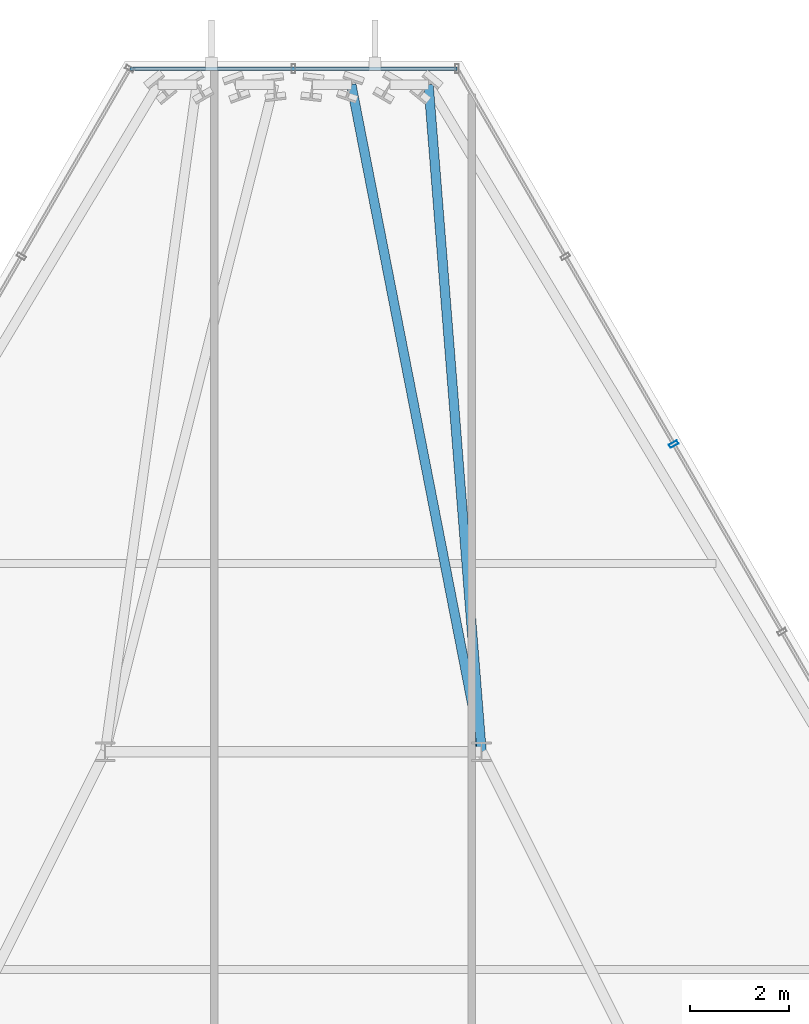
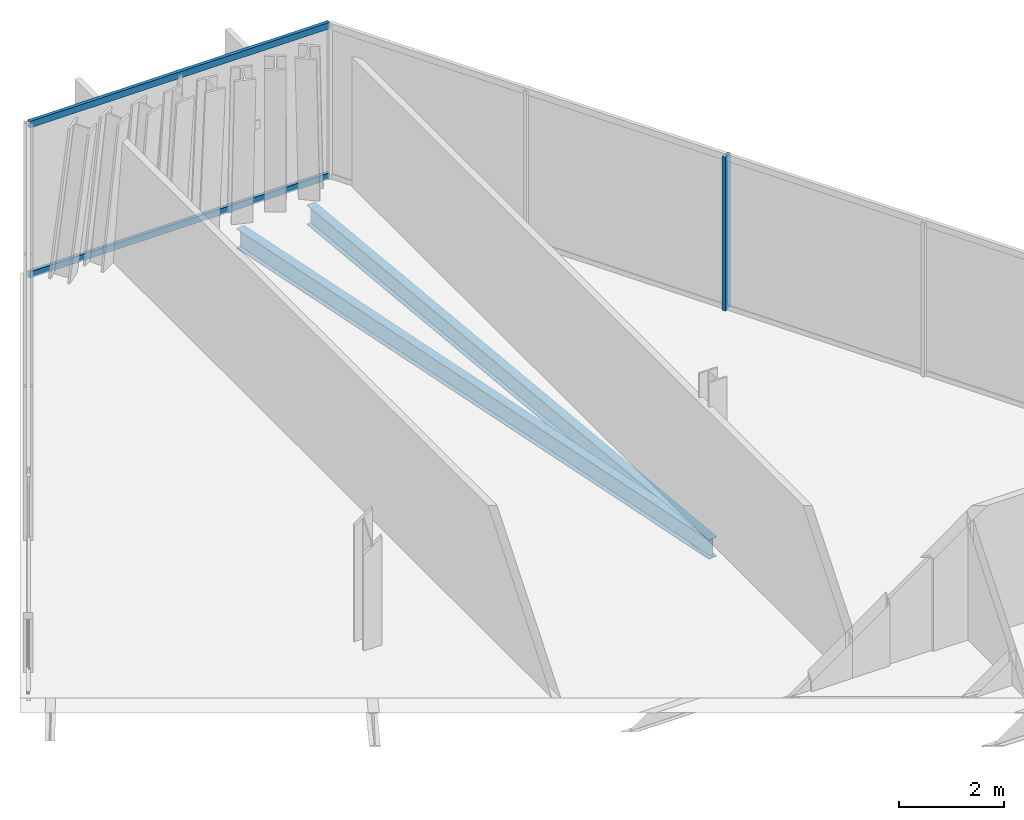
# One storey, part 21 of 29: 3 members, 2 beams, 2 elements without a shape of their own.
"""IFC4 building model written with IfcOpenShell, lengths in metres."""

import ifcopenshell
import ifcopenshell.guid

model = None  # the IFC model being written
_history = None  # IfcOwnerHistory: only IFC2X3 demands one
_inside = {}  # id of a spatial element -> (the spatial element, [elements in it])
_under = {}  # id of a project, library or spatial element -> (it, [spatial elements below it])
_declared = {}  # id of a project -> (the project, [libraries it declares])
_typed = {}  # id of a type object -> (the type object, [elements of that type])
_made_of = {}  # id of a material, layer set ... -> (it, [elements and type objects made of it])


def new_model(schema):
    """Start an empty IFC model of exactly this schema.

    Asked for "IFC4X3", IfcOpenShell would pick the latest addendum, in which some entities
    have other attributes; the version numbers below select the first issue.
    IFC2X3 requires an IfcOwnerHistory on every rooted entity: one is made here for all.
    """
    global model, _history
    if schema == "IFC4X3":
        model = ifcopenshell.file(schema_version=(4, 3, 0, 0))
    else:
        model = ifcopenshell.file(schema=schema)
    _inside.clear()
    _under.clear()
    _declared.clear()
    _typed.clear()
    _made_of.clear()
    _history = None
    if model.schema == "IFC2X3":
        org = make("IfcOrganization", Name="unknown")
        user = make(
            "IfcPersonAndOrganization",
            ThePerson=make("IfcPerson", FamilyName="unknown"),
            TheOrganization=org,
        )
        app = make(
            "IfcApplication",
            ApplicationDeveloper=org,
            Version="unknown",
            ApplicationFullName="unknown",
            ApplicationIdentifier="unknown",
        )
        _history = make(
            "IfcOwnerHistory",
            OwningUser=user,
            OwningApplication=app,
            ChangeAction="ADDED",
            CreationDate=0,
        )
    return model


def make(cls, **values):
    """One entity of the class cls with the attributes given. An attribute that is None is left unset."""
    return model.create_entity(
        cls, **{name: value for name, value in values.items() if value is not None}
    )


def rooted(cls, **values):
    """An entity with a GlobalId (a new one), such as an element, a storey or a relation."""
    return make(cls, GlobalId=ifcopenshell.guid.new(), OwnerHistory=_history, **values)


def si_unit(unit_type, name, prefix=None):
    """IfcSIUnit, for example si_unit("LENGTHUNIT", "METRE", prefix="MILLI")."""
    return make("IfcSIUnit", UnitType=unit_type, Prefix=prefix, Name=name)


def assignment(units):
    """IfcUnitAssignment: the units of a project."""
    return None if units is None else make("IfcUnitAssignment", Units=units)


def point(xyz):
    """IfcCartesianPoint."""
    return None if xyz is None else make("IfcCartesianPoint", Coordinates=xyz)


def direction(xyz):
    """IfcDirection."""
    return None if xyz is None else make("IfcDirection", DirectionRatios=xyz)


def frame(location, z_axis=None, x_axis=None):
    """IfcAxis2Placement3D, a coordinate frame: its origin and axes. An axis left out is left unset."""
    return make(
        "IfcAxis2Placement3D",
        Location=point(location),
        Axis=direction(z_axis),
        RefDirection=direction(x_axis),
    )


def frame_2d(location, x_axis=None):
    """IfcAxis2Placement2D, a coordinate frame in the plane: its origin and x axis."""
    return make(
        "IfcAxis2Placement2D", Location=point(location), RefDirection=direction(x_axis)
    )


def origin():
    """The frame at (0, 0, 0) with its axes left unset."""
    return frame((0.0, 0.0, 0.0))


def origin_2d():
    """The frame at (0, 0) in the plane with its x axis left unset."""
    return frame_2d((0.0, 0.0))


def place(relative_to, where):
    """IfcLocalPlacement: puts the frame where relative to a parent placement (None: the world)."""
    return make(
        "IfcLocalPlacement", PlacementRelTo=relative_to, RelativePlacement=where
    )


def context(
    kind, dimensions, precision=None, world=None, true_north=None, identifier=None
):
    """IfcGeometricRepresentationContext, for example the 3D "Model" context."""
    return make(
        "IfcGeometricRepresentationContext",
        ContextIdentifier=identifier,
        ContextType=kind,
        CoordinateSpaceDimension=dimensions,
        Precision=precision,
        WorldCoordinateSystem=world,
        TrueNorth=true_north,
    )


def subcontext(parent, identifier, kind, view, scale=None):
    """IfcGeometricRepresentationSubContext, for example "Body" below "Model"."""
    return make(
        "IfcGeometricRepresentationSubContext",
        ContextIdentifier=identifier,
        ContextType=kind,
        ParentContext=parent,
        TargetScale=scale,
        TargetView=view,
    )


def project(units=None, contexts=None):
    """IfcProject with its units and contexts."""
    return rooted(
        "IfcProject",
        Name="project",
        RepresentationContexts=contexts,
        UnitsInContext=assignment(units),
    )


def spatial(cls, under=None, at=None, **own):
    """A site, building, storey or space (cls), placed at a placement, below another one or the project."""
    s = rooted(cls, ObjectPlacement=at, **own)
    if under is not None:
        _under.setdefault(under.id(), (under, []))[1].append(s)
    return s


def profile(cls, at=None, kind="AREA", **sizes):
    """A parametric profile (cls). Its sizes go by their IFC names, for example OverallWidth=200.0."""
    return make(cls, ProfileType=kind, Position=at, **sizes)


def hollow_rectangle(**sizes):
    """IfcRectangleHollowProfileDef."""
    return profile("IfcRectangleHollowProfileDef", **sizes)


def i_section(**sizes):
    """IfcIShapeProfileDef."""
    return profile("IfcIShapeProfileDef", **sizes)


def extrude(swept, where, along, depth):
    """IfcExtrudedAreaSolid: the profile swept, set in the frame where, extruded along a direction by depth."""
    return make(
        "IfcExtrudedAreaSolid",
        SweptArea=swept,
        Position=where,
        ExtrudedDirection=direction(along),
        Depth=depth,
    )


def shape(context_of_items, identifier, shape_type, items):
    """IfcShapeRepresentation: the items that make up one representation, for example the "Body"."""
    return make(
        "IfcShapeRepresentation",
        ContextOfItems=context_of_items,
        RepresentationIdentifier=identifier,
        RepresentationType=shape_type,
        Items=items,
    )


def material(Name=None, Category=None):
    """IfcMaterial."""
    return make("IfcMaterial", Name=Name, Category=Category)


def layer(
    of_material, thickness, ventilated=None, Name=None, Category=None, Priority=None
):
    """IfcMaterialLayer: one layer of a wall or slab, of a material (None: an air gap)."""
    return make(
        "IfcMaterialLayer",
        Material=of_material,
        LayerThickness=thickness,
        IsVentilated=ventilated,
        Name=Name,
        Category=Category,
        Priority=Priority,
    )


def layer_set(layers, Name=None):
    """IfcMaterialLayerSet."""
    return make("IfcMaterialLayerSet", MaterialLayers=layers, LayerSetName=Name)


def material_profile(
    of_material, cross_section, Name=None, Category=None, Priority=None
):
    """IfcMaterialProfile: a cross section and its material."""
    return make(
        "IfcMaterialProfile",
        Name=Name,
        Material=of_material,
        Profile=cross_section,
        Priority=Priority,
        Category=Category,
    )


def profile_set(profiles, Name=None, composite=None):
    """IfcMaterialProfileSet."""
    return make(
        "IfcMaterialProfileSet",
        Name=Name,
        MaterialProfiles=profiles,
        CompositeProfile=composite,
    )


def made_of(thing, what):
    """Note that an element or type object is made of a material, layer set ...; save() writes the relation."""
    if what is not None:
        _made_of.setdefault(what.id(), (what, []))[1].append(thing)
    return thing


def type_object(cls, material=None, **own):
    """A type object (cls), such as IfcWallType, which elements share."""
    return made_of(rooted(cls, **own), material)


def element(
    cls,
    number,
    at=None,
    inside=None,
    cuts=None,
    type_object=None,
    material=None,
    context=None,
    identifier="Body",
    shape_type=None,
    held_by="IfcProductDefinitionShape",
    body=None,
    shapes=None,
    **own,
):
    """One element of the class cls, such as IfcWall. Its Tag is "e" and its number.

    at: its placement. inside: the storey or other place that contains it. cuts: it is an
    opening in that element (IfcRelVoidsElement). A single representation is given by context,
    identifier, shape_type and body (its items); several are given by shapes. held_by: the class
    of the entity that holds the representations. save() writes the other relations.
    """
    e = rooted(cls, Tag="e%d" % number, ObjectPlacement=at, **own)
    if body is not None:
        shapes = [shape(context, identifier, shape_type, body)]
    if shapes is not None:
        e.Representation = make(held_by, Representations=shapes)
    if inside is not None:
        _inside.setdefault(inside.id(), (inside, []))[1].append(e)
    if cuts is not None:
        rooted(
            "IfcRelVoidsElement", RelatingBuildingElement=cuts, RelatedOpeningElement=e
        )
    if type_object is not None:
        _typed.setdefault(type_object.id(), (type_object, []))[1].append(e)
    return made_of(e, material)


def aggregate(whole, parts):
    """IfcRelAggregates: a whole, such as a stair, and the parts it consists of."""
    return rooted("IfcRelAggregates", RelatingObject=whole, RelatedObjects=parts)


def save(model, path):
    """Write the relations noted so far, then the file.

    IfcRelAggregates (storeys below a building ...), IfcRelContainedInSpatialStructure (elements
    in a storey), IfcRelDefinesByType, IfcRelAssociatesMaterial and IfcRelDeclares: one each for
    every whole, place, type object, material and project.
    """
    for whole, parts in _under.values():
        aggregate(whole, parts)
    for where, things in _inside.values():
        rooted(
            "IfcRelContainedInSpatialStructure",
            RelatedElements=things,
            RelatingStructure=where,
        )
    for kind, things in _typed.values():
        rooted("IfcRelDefinesByType", RelatedObjects=things, RelatingType=kind)
    for what, things in _made_of.values():
        rooted("IfcRelAssociatesMaterial", RelatedObjects=things, RelatingMaterial=what)
    for by, libraries in _declared.values():
        rooted("IfcRelDeclares", RelatingContext=by, RelatedDefinitions=libraries)
    model.write(path)


model = new_model("IFC4")

# Units and contexts
model_context = context("Model", 3, precision=1e-05, world=origin(), true_north=direction((0.0, 1.0)))
body_context = subcontext(model_context, "Body", "Model", "MODEL_VIEW")
ifc_project = project(units=[si_unit("LENGTHUNIT", "METRE"), si_unit("AREAUNIT", "SQUARE_METRE"), si_unit("VOLUMEUNIT", "CUBIC_METRE"), si_unit("PLANEANGLEUNIT", "RADIAN"), si_unit("MASSUNIT", "GRAM", prefix="KILO")], contexts=[model_context])

# Site, building, storey
site_placement = place(None, origin())
site = spatial("IfcSite", under=ifc_project, at=site_placement, CompositionType="ELEMENT")
building_placement = place(site_placement, origin())
building = spatial("IfcBuilding", under=site, at=building_placement, Name="Ndaravel Arena Tower", CompositionType="ELEMENT")
storey_placement = place(building_placement, frame((0.0, 0.0, 248.39990234375)))
storey = spatial("IfcBuildingStorey", under=building, at=storey_placement, Name="L60", CompositionType="ELEMENT", Elevation=248.39990234375)

# Beams
ifc_material_1 = material(Name="Steel S355", Category="steel")
ifc_material_profile_1 = material_profile(ifc_material_1, i_section(OverallWidth=0.19140625, OverallDepth=0.4599609375, WebThickness=0.010009765625, FlangeThickness=0.01611328125, FilletRadius=0.01025390625, at=origin_2d()), Name="UB 457x191x82")
ifc_profile_set_1 = profile_set([ifc_material_profile_1], Name="Steel S355")
beam_type = type_object("IfcBeamType", Name="BM-GIRD-UB457", PredefinedType="BEAM", material=ifc_profile_set_1)
beam_1_placement = place(storey_placement, frame((44.72900390625, 44.669677734375, -0.449951171875), z_axis=(0.079264785217, -0.996853596986, 0.0), x_axis=(0.996853596986, 0.079264785217, 0.0)))
element("IfcBeam", 1, at=beam_1_placement, inside=storey, type_object=beam_type, Name="L60 Radial Floor Girder FG-11", PredefinedType="BEAM", context=body_context, shape_type="SweptSolid", body=[
    extrude(i_section(OverallWidth=0.19140625, OverallDepth=0.4599609375, WebThickness=0.010009765625, FlangeThickness=0.01611328125, FilletRadius=0.01025390625, at=origin_2d()), origin(), (0.0, 0.0, 1.0), 13.51220703125),
])
beam_2_placement = place(storey_placement, frame((43.169677734375, 44.669677734375, -0.449951171875), z_axis=(0.191659989697, -0.981461384034, 0.0), x_axis=(0.981461384034, 0.191659989697, 0.0)))
element("IfcBeam", 2, at=beam_2_placement, inside=storey, type_object=beam_type, Name="L60 Radial Floor Girder FG-13", PredefinedType="BEAM", context=body_context, shape_type="SweptSolid", body=[
    extrude(i_section(OverallWidth=0.19140625, OverallDepth=0.4599609375, WebThickness=0.010009765625, FlangeThickness=0.01611328125, FilletRadius=0.01025390625, at=origin_2d()), origin(), (0.0, 0.0, 1.0), 13.72412109375),
])

# Curtain wall, member
ifc_material_2 = material(Name="Aluminium", Category="aluminium")
ifc_layer_1 = layer(ifc_material_2, 0.179931640625)
ifc_layer_set_1 = layer_set([ifc_layer_1], Name="Aluminium")
curtain_wall_type_1 = type_object("IfcCurtainWallType", Name="CW-SYS-03", PredefinedType="NOTDEFINED", material=ifc_layer_set_1)
curtain_wall_1_placement = place(storey_placement, origin())
curtain_wall_1 = element("IfcCurtainWall", 3, at=curtain_wall_1_placement, inside=storey, type_object=curtain_wall_type_1, Name="L60 Faceted Crystal Curtain Wall CW-L60-E03", PredefinedType="NOTDEFINED")
ifc_material_3 = material(Name="Aluminium", Category="aluminium")
ifc_material_profile_2 = material_profile(ifc_material_3, hollow_rectangle(XDim=0.074951171875, YDim=0.179931640625, WallThickness=0.00390625, at=origin_2d()), Name="CW MULLION 75x180x4")
ifc_profile_set_2 = profile_set([ifc_material_profile_2], Name="Aluminium")
member_type_1 = type_object("IfcMemberType", Name="MEM-CW-MUL180", PredefinedType="MULLION", material=ifc_profile_set_2)
member_1_placement = place(storey_placement, frame((49.6796875, 37.41015625, 0.0), z_axis=(0.0, 0.0, 1.0), x_axis=(-0.5, 0.866025403784, 0.0)))
member_1 = element("IfcMember", 4, at=member_1_placement, type_object=member_type_1, Name="CW-L60-E03 Mullion 07", PredefinedType="MULLION", context=body_context, shape_type="SweptSolid", body=[
    extrude(hollow_rectangle(XDim=0.074951171875, YDim=0.179931640625, WallThickness=0.00390625, at=origin_2d()), origin(), (0.0, 0.0, 1.0), 3.580078125),
])
aggregate(curtain_wall_1, [member_1])

# Curtain wall, members
ifc_material_4 = material(Name="Aluminium", Category="aluminium")
ifc_layer_2 = layer(ifc_material_4, 0.179931640625)
ifc_layer_set_2 = layer_set([ifc_layer_2], Name="Aluminium")
curtain_wall_type_2 = type_object("IfcCurtainWallType", Name="CW-SYS-01", PredefinedType="NOTDEFINED", material=ifc_layer_set_2)
curtain_wall_2_placement = place(storey_placement, origin())
curtain_wall_2 = element("IfcCurtainWall", 5, at=curtain_wall_2_placement, inside=storey, type_object=curtain_wall_type_2, Name="L60 Faceted Crystal Curtain Wall CW-L60-E04", PredefinedType="NOTDEFINED")
ifc_material_5 = material(Name="Aluminium", Category="aluminium")
ifc_material_profile_3 = material_profile(ifc_material_5, hollow_rectangle(XDim=0.074951171875, YDim=0.14990234375, WallThickness=0.00390625, at=origin_2d()), Name="CW TRANSOM 75x150x4")
ifc_profile_set_3 = profile_set([ifc_material_profile_3], Name="Aluminium")
member_type_2 = type_object("IfcMemberType", Name="MEM-CW-TRN150", PredefinedType="USERDEFINED", material=ifc_profile_set_3)
member_2_placement = place(storey_placement, frame((45.3037109375, 44.989501953125, 0.0400390625), z_axis=(-1.0, 0.0, 0.0), x_axis=(0.0, -1.0, 0.0)))
member_2 = element("IfcMember", 6, at=member_2_placement, type_object=member_type_2, Name="CW-L60-E04 Transom 01", ObjectType="TRANSOM", PredefinedType="USERDEFINED", context=body_context, shape_type="SweptSolid", body=[
    extrude(hollow_rectangle(XDim=0.074951171875, YDim=0.14990234375, WallThickness=0.00390625, at=origin_2d()), origin(), (0.0, 0.0, 1.0), 6.607421875),
])
member_3_placement = place(storey_placement, frame((45.3037109375, 44.989501953125, 3.5400390625), z_axis=(-1.0, 0.0, 0.0), x_axis=(0.0, -1.0, 0.0)))
member_3 = element("IfcMember", 7, at=member_3_placement, type_object=member_type_2, Name="CW-L60-E04 Transom 02", ObjectType="TRANSOM", PredefinedType="USERDEFINED", context=body_context, shape_type="SweptSolid", body=[
    extrude(hollow_rectangle(XDim=0.074951171875, YDim=0.14990234375, WallThickness=0.00390625, at=origin_2d()), origin(), (0.0, 0.0, 1.0), 6.607421875),
])
aggregate(curtain_wall_2, [member_2, member_3])

save(model, "model.ifc")
